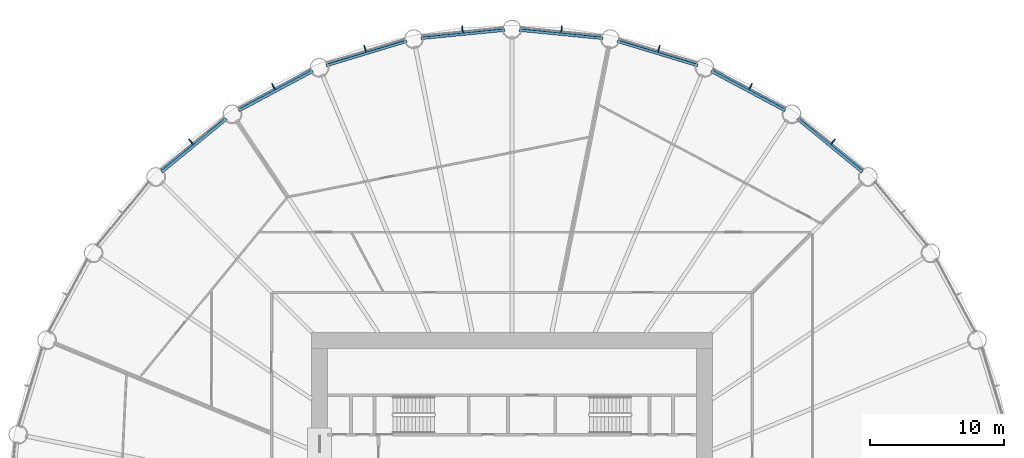
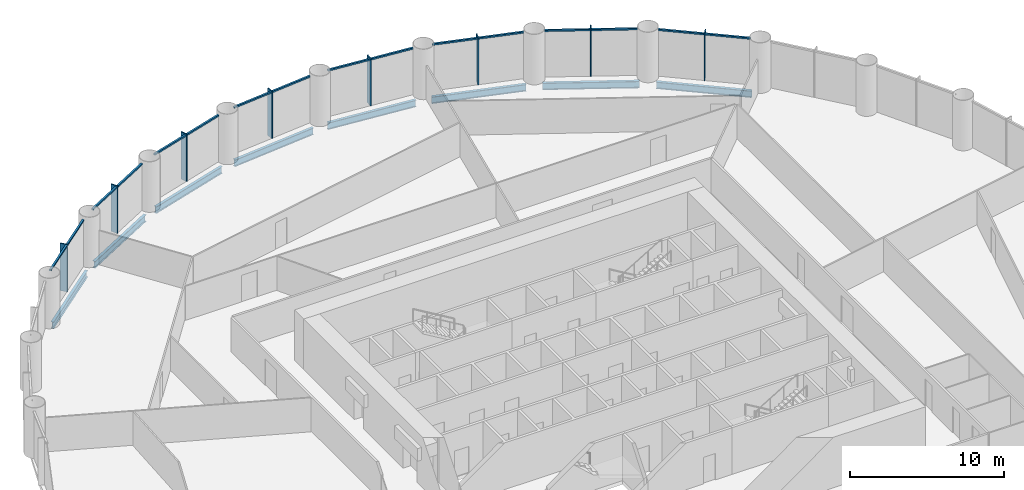
# One storey, part 7 of 15: 24 members, 8 beams, 8 elements without a shape of their own.
"""IFC4 building model written with IfcOpenShell, lengths in metres."""

from ifc_helpers import new_model, si_unit, direction, frame, origin, origin_2d, place, context, subcontext, project, spatial, rectangle, i_section, extrude, material, material_profile, profile_set, type_object, element, aggregate, save


model = new_model("IFC4")

# Units and contexts
model_context = context("Model", 3, precision=1e-05, world=origin(), true_north=direction((0.0, 1.0)))
body_context = subcontext(model_context, "Body", "Model", "MODEL_VIEW")
ifc_project = project(units=[si_unit("LENGTHUNIT", "METRE"), si_unit("AREAUNIT", "SQUARE_METRE"), si_unit("VOLUMEUNIT", "CUBIC_METRE"), si_unit("PLANEANGLEUNIT", "RADIAN"), si_unit("MASSUNIT", "GRAM", prefix="KILO")], contexts=[model_context])

# Site, building, storey
site_placement = place(None, origin())
site = spatial("IfcSite", under=ifc_project, at=site_placement, CompositionType="ELEMENT")
building_placement = place(site_placement, origin())
building = spatial("IfcBuilding", under=site, at=building_placement, Name="Corvane Civic Tower", CompositionType="ELEMENT")
storey_placement = place(building_placement, frame((0.0, 0.0, 69.0)))
storey = spatial("IfcBuildingStorey", under=building, at=storey_placement, Name="L15", CompositionType="ELEMENT", Elevation=69.0)

# Beams
ifc_material_1 = material(Name="Steel ASTM A992 Gr 50", Category="steel")
ifc_material_profile_1 = material_profile(ifc_material_1, i_section(OverallWidth=0.209228515625, OverallDepth=0.533447265625, WebThickness=0.01025390625, FlangeThickness=0.015625, at=origin_2d()), Name="W21X62")
ifc_profile_set_1 = profile_set([ifc_material_profile_1], Name="Steel ASTM A992 Gr 50")
beam_type = type_object("IfcBeamType", Name="EDGE BEAM W21X62", PredefinedType="BEAM", material=ifc_profile_set_1)
beam_1_placement = place(storey_placement, frame((0.54736328125, 37.64599609375, -0.566650390625), z_axis=(0.995186682089, -0.097997284622, 0.0), x_axis=(0.097997284622, 0.995186682089, 0.0)))
element("IfcBeam", 1, at=beam_1_placement, inside=storey, type_object=beam_type, Name="BM-L15-E01", PredefinedType="BEAM", context=body_context, shape_type="SweptSolid", body=[
    extrude(i_section(OverallWidth=0.209228515625, OverallDepth=0.533447265625, WebThickness=0.01025390625, FlangeThickness=0.015625, at=origin_2d()), origin(), (0.0, 0.0, 1.0), 6.29052734375),
])
for number, where, z_axis, x_axis, name in (
    (2, (7.88134765625, 36.81591796875, -0.566650390625), (0.956943740748, -0.290273452184, 0.0), (0.290273452184, 0.956943740748, 0.0), "BM-L15-E02"),
    (3, (14.912353515625, 34.571044921875, -0.566650390625), (0.881916367906, -0.471405897311, 0.0), (0.471405897311, 0.881916367906, 0.0), "BM-L15-E03"),
):
    element("IfcBeam", number, at=place(storey_placement, frame(where, z_axis=z_axis, x_axis=x_axis)), inside=storey, type_object=beam_type, Name=name, PredefinedType="BEAM", context=body_context, shape_type="SweptSolid", body=[
        extrude(i_section(OverallWidth=0.209228515625, OverallDepth=0.533447265625, WebThickness=0.01025390625, FlangeThickness=0.015625, at=origin_2d()), origin(), (0.0, 0.0, 1.0), 6.290283203125),
    ])
for number, where, z_axis, x_axis, name in (
    (4, (21.3701171875, 30.99755859375, -0.566650390625), (0.773015785286, -0.634386787141, 0.0), (0.634386787141, 0.773015785286, 0.0), "BM-L15-E04"),
    (5, (-26.23291015625, 27.0068359375, -0.566650390625), (0.773015785286, 0.634386787141, 0.0), (-0.634386787141, 0.773015785286, 0.0), "BM-L15-E29"),
):
    element("IfcBeam", number, at=place(storey_placement, frame(where, z_axis=z_axis, x_axis=x_axis)), inside=storey, type_object=beam_type, Name=name, PredefinedType="BEAM", context=body_context, shape_type="SweptSolid", body=[
        extrude(i_section(OverallWidth=0.209228515625, OverallDepth=0.533447265625, WebThickness=0.01025390625, FlangeThickness=0.015625, at=origin_2d()), origin(), (0.0, 0.0, 1.0), 6.290771484375),
    ])
for number, where, z_axis, x_axis, name in (
    (6, (-20.4599609375, 31.605712890625, -0.566650390625), (0.881916367906, 0.471405897311, 0.0), (-0.471405897311, 0.881916367906, 0.0), "BM-L15-E30"),
    (7, (-13.90087890625, 34.989990234375, -0.566650390625), (0.956943740748, 0.290273452184, 0.0), (-0.290273452184, 0.956943740748, 0.0), "BM-L15-E31"),
):
    element("IfcBeam", number, at=place(storey_placement, frame(where, z_axis=z_axis, x_axis=x_axis)), inside=storey, type_object=beam_type, Name=name, PredefinedType="BEAM", context=body_context, shape_type="SweptSolid", body=[
        extrude(i_section(OverallWidth=0.209228515625, OverallDepth=0.533447265625, WebThickness=0.01025390625, FlangeThickness=0.015625, at=origin_2d()), origin(), (0.0, 0.0, 1.0), 6.290283203125),
    ])
beam_2_placement = place(storey_placement, frame((-6.8076171875, 37.029541015625, -0.566650390625), z_axis=(0.995186682089, 0.097997284622, 0.0), x_axis=(-0.097997284622, 0.995186682089, 0.0)))
element("IfcBeam", 8, at=beam_2_placement, inside=storey, type_object=beam_type, Name="BM-L15-E32", PredefinedType="BEAM", context=body_context, shape_type="SweptSolid", body=[
    extrude(i_section(OverallWidth=0.209228515625, OverallDepth=0.533447265625, WebThickness=0.01025390625, FlangeThickness=0.015625, at=origin_2d()), origin(), (0.0, 0.0, 1.0), 6.29052734375),
])

# Curtain wall, members
ifc_material_2 = material(Name="Anodised aluminium bronze", Category="aluminium")
curtain_wall_type = type_object("IfcCurtainWallType", Name="TOWER CW-T1 STICK CURTAIN WALL", PredefinedType="NOTDEFINED", material=ifc_material_2)
curtain_wall_1_placement = place(storey_placement, origin())
curtain_wall_1 = element("IfcCurtainWall", 9, at=curtain_wall_1_placement, inside=storey, type_object=curtain_wall_type, Name="Curtain wall CW-T1 L15 bay 01", PredefinedType="NOTDEFINED")
ifc_material_3 = material(Name="Anodised aluminium bronze", Category="aluminium")
ifc_material_profile_2 = material_profile(ifc_material_3, rectangle(XDim=0.139892578125, YDim=0.1201171875, at=origin_2d()), Name="TOWER CW-T1 TRANSOM 140x120")
ifc_profile_set_2 = profile_set([ifc_material_profile_2], Name="Anodised aluminium bronze")
member_type_1 = type_object("IfcMemberType", Name="TOWER CW-T1 TRANSOM 140x120", PredefinedType="USERDEFINED", material=ifc_profile_set_2)
member_1_placement = place(storey_placement, frame((0.6611328125, 37.814697265625, 3.68994140625), z_axis=(0.995191836722, -0.097944923917, 0.0), x_axis=(0.097944923917, 0.995191836722, 0.0)))
member_1 = element("IfcMember", 10, at=member_1_placement, type_object=member_type_1, Name="Transom CW-T1 L15 01.1", ObjectType="TRANSOM", PredefinedType="USERDEFINED", context=body_context, shape_type="SweptSolid", body=[
    extrude(rectangle(XDim=0.139892578125, YDim=0.1201171875, at=origin_2d()), origin(), (0.0, 0.0, 1.0), 3.008544921875),
])
member_2_placement = place(storey_placement, frame((3.73486328125, 37.511962890625, 3.68994140625), z_axis=(0.995191836722, -0.097944923917, 0.0), x_axis=(0.097944923917, 0.995191836722, 0.0)))
member_2 = element("IfcMember", 11, at=member_2_placement, type_object=member_type_1, Name="Transom CW-T1 L15 01.2", ObjectType="TRANSOM", PredefinedType="USERDEFINED", context=body_context, shape_type="SweptSolid", body=[
    extrude(rectangle(XDim=0.139892578125, YDim=0.1201171875, at=origin_2d()), origin(), (0.0, 0.0, 1.0), 3.008544921875),
])

curtain_wall_2_placement = place(storey_placement, origin())
curtain_wall_2 = element("IfcCurtainWall", 12, at=curtain_wall_2_placement, inside=storey, type_object=curtain_wall_type, Name="Curtain wall CW-T1 L15 bay 02", PredefinedType="NOTDEFINED")
member_3_placement = place(storey_placement, frame((8.02587890625, 36.959228515625, 3.68994140625), z_axis=(0.956941780555, -0.290279914268, 0.0), x_axis=(0.290279914268, 0.956941780555, 0.0)))
member_3 = element("IfcMember", 13, at=member_3_placement, type_object=member_type_1, Name="Transom CW-T1 L15 02.1", ObjectType="TRANSOM", PredefinedType="USERDEFINED", context=body_context, shape_type="SweptSolid", body=[
    extrude(rectangle(XDim=0.139892578125, YDim=0.1201171875, at=origin_2d()), origin(), (0.0, 0.0, 1.0), 3.008544921875),
])
member_4_placement = place(storey_placement, frame((10.9814453125, 36.062744140625, 3.68994140625), z_axis=(0.956941780555, -0.290279914268, 0.0), x_axis=(0.290279914268, 0.956941780555, 0.0)))
member_4 = element("IfcMember", 14, at=member_4_placement, type_object=member_type_1, Name="Transom CW-T1 L15 02.2", ObjectType="TRANSOM", PredefinedType="USERDEFINED", context=body_context, shape_type="SweptSolid", body=[
    extrude(rectangle(XDim=0.139892578125, YDim=0.1201171875, at=origin_2d()), origin(), (0.0, 0.0, 1.0), 3.008544921875),
])

curtain_wall_3_placement = place(storey_placement, origin())
curtain_wall_3 = element("IfcCurtainWall", 15, at=curtain_wall_3_placement, inside=storey, type_object=curtain_wall_type, Name="Curtain wall CW-T1 L15 bay 03", PredefinedType="NOTDEFINED")
member_5_placement = place(storey_placement, frame((15.08203125, 34.683349609375, 3.68994140625), z_axis=(0.881923525532, -0.471392506424, 0.0), x_axis=(0.471392506424, 0.881923525532, 0.0)))
member_5 = element("IfcMember", 16, at=member_5_placement, type_object=member_type_1, Name="Transom CW-T1 L15 03.1", ObjectType="TRANSOM", PredefinedType="USERDEFINED", context=body_context, shape_type="SweptSolid", body=[
    extrude(rectangle(XDim=0.139892578125, YDim=0.1201171875, at=origin_2d()), origin(), (0.0, 0.0, 1.0), 3.008544921875),
])
member_6_placement = place(storey_placement, frame((17.805908203125, 33.2275390625, 3.68994140625), z_axis=(0.881923525532, -0.471392506424, 0.0), x_axis=(0.471392506424, 0.881923525532, 0.0)))
member_6 = element("IfcMember", 17, at=member_6_placement, type_object=member_type_1, Name="Transom CW-T1 L15 03.2", ObjectType="TRANSOM", PredefinedType="USERDEFINED", context=body_context, shape_type="SweptSolid", body=[
    extrude(rectangle(XDim=0.139892578125, YDim=0.1201171875, at=origin_2d()), origin(), (0.0, 0.0, 1.0), 3.008544921875),
])

curtain_wall_4_placement = place(storey_placement, origin())
curtain_wall_4 = element("IfcCurtainWall", 18, at=curtain_wall_4_placement, inside=storey, type_object=curtain_wall_type, Name="Curtain wall CW-T1 L15 bay 04", PredefinedType="NOTDEFINED")
member_7_placement = place(storey_placement, frame((21.55859375, 31.074462890625, 3.68994140625), z_axis=(0.773041738279, -0.634355161466, 0.0), x_axis=(0.634355161466, 0.773041738279, 0.0)))
member_7 = element("IfcMember", 19, at=member_7_placement, type_object=member_type_1, Name="Transom CW-T1 L15 04.1", ObjectType="TRANSOM", PredefinedType="USERDEFINED", context=body_context, shape_type="SweptSolid", body=[
    extrude(rectangle(XDim=0.139892578125, YDim=0.1201171875, at=origin_2d()), origin(), (0.0, 0.0, 1.0), 3.008544921875),
])
member_8_placement = place(storey_placement, frame((23.946044921875, 29.115234375, 3.68994140625), z_axis=(0.773001943873, -0.634403652865, 0.0), x_axis=(0.634403652865, 0.773001943873, 0.0)))
member_8 = element("IfcMember", 20, at=member_8_placement, type_object=member_type_1, Name="Transom CW-T1 L15 04.2", ObjectType="TRANSOM", PredefinedType="USERDEFINED", context=body_context, shape_type="SweptSolid", body=[
    extrude(rectangle(XDim=0.139892578125, YDim=0.1201171875, at=origin_2d()), origin(), (0.0, 0.0, 1.0), 3.008544921875),
])

curtain_wall_5_placement = place(storey_placement, origin())
curtain_wall_5 = element("IfcCurtainWall", 21, at=curtain_wall_5_placement, inside=storey, type_object=curtain_wall_type, Name="Curtain wall CW-T1 L15 bay 29", PredefinedType="NOTDEFINED")
member_9_placement = place(storey_placement, frame((-26.271728515625, 27.20654296875, 3.68994140625), z_axis=(0.773001943873, 0.634403652865, 0.0), x_axis=(-0.634403652865, 0.773001943873, 0.0)))
member_9 = element("IfcMember", 22, at=member_9_placement, type_object=member_type_1, Name="Transom CW-T1 L15 29.1", ObjectType="TRANSOM", PredefinedType="USERDEFINED", context=body_context, shape_type="SweptSolid", body=[
    extrude(rectangle(XDim=0.139892578125, YDim=0.1201171875, at=origin_2d()), origin(), (0.0, 0.0, 1.0), 3.008544921875),
])
member_10_placement = place(storey_placement, frame((-23.88427734375, 29.166015625, 3.68994140625), z_axis=(0.773041738279, 0.634355161466, 0.0), x_axis=(-0.634355161466, 0.773041738279, 0.0)))
member_10 = element("IfcMember", 23, at=member_10_placement, type_object=member_type_1, Name="Transom CW-T1 L15 29.2", ObjectType="TRANSOM", PredefinedType="USERDEFINED", context=body_context, shape_type="SweptSolid", body=[
    extrude(rectangle(XDim=0.139892578125, YDim=0.1201171875, at=origin_2d()), origin(), (0.0, 0.0, 1.0), 3.008544921875),
])

curtain_wall_6_placement = place(storey_placement, origin())
curtain_wall_6 = element("IfcCurtainWall", 24, at=curtain_wall_6_placement, inside=storey, type_object=curtain_wall_type, Name="Curtain wall CW-T1 L15 bay 30", PredefinedType="NOTDEFINED")
member_11_placement = place(storey_placement, frame((-20.459228515625, 31.809326171875, 3.68994140625), z_axis=(0.881923525532, 0.471392506424, 0.0), x_axis=(-0.471392506424, 0.881923525532, 0.0)))
member_11 = element("IfcMember", 25, at=member_11_placement, type_object=member_type_1, Name="Transom CW-T1 L15 30.1", ObjectType="TRANSOM", PredefinedType="USERDEFINED", context=body_context, shape_type="SweptSolid", body=[
    extrude(rectangle(XDim=0.139892578125, YDim=0.1201171875, at=origin_2d()), origin(), (0.0, 0.0, 1.0), 3.008544921875),
])
member_12_placement = place(storey_placement, frame((-17.7353515625, 33.26513671875, 3.68994140625), z_axis=(0.881923525532, 0.471392506424, 0.0), x_axis=(-0.471392506424, 0.881923525532, 0.0)))
member_12 = element("IfcMember", 26, at=member_12_placement, type_object=member_type_1, Name="Transom CW-T1 L15 30.2", ObjectType="TRANSOM", PredefinedType="USERDEFINED", context=body_context, shape_type="SweptSolid", body=[
    extrude(rectangle(XDim=0.139892578125, YDim=0.1201171875, at=origin_2d()), origin(), (0.0, 0.0, 1.0), 3.008544921875),
])

curtain_wall_7_placement = place(storey_placement, origin())
curtain_wall_7 = element("IfcCurtainWall", 27, at=curtain_wall_7_placement, inside=storey, type_object=curtain_wall_type, Name="Curtain wall CW-T1 L15 bay 31", PredefinedType="NOTDEFINED")
member_13_placement = place(storey_placement, frame((-13.8603515625, 35.189453125, 3.68994140625), z_axis=(0.956941780555, 0.290279914268, 0.0), x_axis=(-0.290279914268, 0.956941780555, 0.0)))
member_13 = element("IfcMember", 28, at=member_13_placement, type_object=member_type_1, Name="Transom CW-T1 L15 31.1", ObjectType="TRANSOM", PredefinedType="USERDEFINED", context=body_context, shape_type="SweptSolid", body=[
    extrude(rectangle(XDim=0.139892578125, YDim=0.1201171875, at=origin_2d()), origin(), (0.0, 0.0, 1.0), 3.008544921875),
])
member_14_placement = place(storey_placement, frame((-10.90478515625, 36.0859375, 3.68994140625), z_axis=(0.956941780555, 0.290279914268, 0.0), x_axis=(-0.290279914268, 0.956941780555, 0.0)))
member_14 = element("IfcMember", 29, at=member_14_placement, type_object=member_type_1, Name="Transom CW-T1 L15 31.2", ObjectType="TRANSOM", PredefinedType="USERDEFINED", context=body_context, shape_type="SweptSolid", body=[
    extrude(rectangle(XDim=0.139892578125, YDim=0.1201171875, at=origin_2d()), origin(), (0.0, 0.0, 1.0), 3.008544921875),
])

curtain_wall_8_placement = place(storey_placement, origin())
curtain_wall_8 = element("IfcCurtainWall", 30, at=curtain_wall_8_placement, inside=storey, type_object=curtain_wall_type, Name="Curtain wall CW-T1 L15 bay 32", PredefinedType="NOTDEFINED")
member_15_placement = place(storey_placement, frame((-6.72900390625, 37.21728515625, 3.68994140625), z_axis=(0.995191836722, 0.097944923917, 0.0), x_axis=(-0.097944923917, 0.995191836722, 0.0)))
member_15 = element("IfcMember", 31, at=member_15_placement, type_object=member_type_1, Name="Transom CW-T1 L15 32.1", ObjectType="TRANSOM", PredefinedType="USERDEFINED", context=body_context, shape_type="SweptSolid", body=[
    extrude(rectangle(XDim=0.139892578125, YDim=0.1201171875, at=origin_2d()), origin(), (0.0, 0.0, 1.0), 3.008544921875),
])
member_16_placement = place(storey_placement, frame((-3.6552734375, 37.52001953125, 3.68994140625), z_axis=(0.995191836722, 0.097944923917, 0.0), x_axis=(-0.097944923917, 0.995191836722, 0.0)))
member_16 = element("IfcMember", 32, at=member_16_placement, type_object=member_type_1, Name="Transom CW-T1 L15 32.2", ObjectType="TRANSOM", PredefinedType="USERDEFINED", context=body_context, shape_type="SweptSolid", body=[
    extrude(rectangle(XDim=0.139892578125, YDim=0.1201171875, at=origin_2d()), origin(), (0.0, 0.0, 1.0), 3.008544921875),
])

# Member
ifc_material_4 = material(Name="Anodised aluminium bronze", Category="aluminium")
ifc_material_profile_3 = material_profile(ifc_material_4, rectangle(XDim=0.080078125, YDim=0.5, at=origin_2d()), Name="TOWER FIN MULLION 80x500 BRONZE")
ifc_profile_set_3 = profile_set([ifc_material_profile_3], Name="Anodised aluminium bronze")
member_type_2 = type_object("IfcMemberType", Name="TOWER FIN MULLION 80x500 BRONZE", PredefinedType="MULLION", material=ifc_profile_set_3)
member_17_placement = place(storey_placement, frame((3.714599609375, 37.715087890625, 0.0), z_axis=(0.0, 0.0, 1.0), x_axis=(0.995185800248, -0.098006239521, 0.0)))
member_17 = element("IfcMember", 33, at=member_17_placement, type_object=member_type_2, Name="Fin mullion 01 L15", PredefinedType="MULLION", context=body_context, shape_type="SweptSolid", body=[
    extrude(rectangle(XDim=0.080078125, YDim=0.5, at=origin_2d()), origin(), (0.0, 0.0, 1.0), 3.75),
])

aggregate(curtain_wall_1, [member_17, member_1, member_2])

member_18_placement = place(storey_placement, frame((11.001220703125, 36.265625, 0.0), z_axis=(0.0, 0.0, 1.0), x_axis=(0.956942240606, -0.290278397654, 0.0)))
member_18 = element("IfcMember", 34, at=member_18_placement, type_object=member_type_2, Name="Fin mullion 02 L15", PredefinedType="MULLION", context=body_context, shape_type="SweptSolid", body=[
    extrude(rectangle(XDim=0.080078125, YDim=0.5, at=origin_2d()), origin(), (0.0, 0.0, 1.0), 3.75),
])

aggregate(curtain_wall_2, [member_18, member_3, member_4])

member_19_placement = place(storey_placement, frame((17.86474609375, 33.422607421875, 0.0), z_axis=(0.0, 0.0, 1.0), x_axis=(0.881917528864, -0.471403725359, 0.0)))
member_19 = element("IfcMember", 35, at=member_19_placement, type_object=member_type_2, Name="Fin mullion 03 L15", PredefinedType="MULLION", context=body_context, shape_type="SweptSolid", body=[
    extrude(rectangle(XDim=0.080078125, YDim=0.5, at=origin_2d()), origin(), (0.0, 0.0, 1.0), 3.75),
])

aggregate(curtain_wall_3, [member_19, member_5, member_6])

member_20_placement = place(storey_placement, frame((24.0419921875, 29.295166015625, 0.0), z_axis=(0.0, 0.0, 1.0), x_axis=(0.773007224463, -0.634397218569, 0.0)))
member_20 = element("IfcMember", 36, at=member_20_placement, type_object=member_type_2, Name="Fin mullion 04 L15", PredefinedType="MULLION", context=body_context, shape_type="SweptSolid", body=[
    extrude(rectangle(XDim=0.080078125, YDim=0.5, at=origin_2d()), origin(), (0.0, 0.0, 1.0), 3.75),
])

aggregate(curtain_wall_4, [member_20, member_7, member_8])

member_21_placement = place(storey_placement, frame((-24.0419921875, 29.295166015625, 0.0), z_axis=(0.0, 0.0, 1.0), x_axis=(0.773007224463, 0.634397218569, 0.0)))
member_21 = element("IfcMember", 37, at=member_21_placement, type_object=member_type_2, Name="Fin mullion 29 L15", PredefinedType="MULLION", context=body_context, shape_type="SweptSolid", body=[
    extrude(rectangle(XDim=0.080078125, YDim=0.5, at=origin_2d()), origin(), (0.0, 0.0, 1.0), 3.75),
])

aggregate(curtain_wall_5, [member_21, member_9, member_10])

member_22_placement = place(storey_placement, frame((-17.86474609375, 33.422607421875, 0.0), z_axis=(0.0, 0.0, 1.0), x_axis=(0.881917528864, 0.471403725359, 0.0)))
member_22 = element("IfcMember", 38, at=member_22_placement, type_object=member_type_2, Name="Fin mullion 30 L15", PredefinedType="MULLION", context=body_context, shape_type="SweptSolid", body=[
    extrude(rectangle(XDim=0.080078125, YDim=0.5, at=origin_2d()), origin(), (0.0, 0.0, 1.0), 3.75),
])

aggregate(curtain_wall_6, [member_22, member_11, member_12])

member_23_placement = place(storey_placement, frame((-11.001220703125, 36.265625, 0.0), z_axis=(0.0, 0.0, 1.0), x_axis=(0.956942240606, 0.290278397654, 0.0)))
member_23 = element("IfcMember", 39, at=member_23_placement, type_object=member_type_2, Name="Fin mullion 31 L15", PredefinedType="MULLION", context=body_context, shape_type="SweptSolid", body=[
    extrude(rectangle(XDim=0.080078125, YDim=0.5, at=origin_2d()), origin(), (0.0, 0.0, 1.0), 3.75),
])

aggregate(curtain_wall_7, [member_23, member_13, member_14])

member_24_placement = place(storey_placement, frame((-3.714599609375, 37.715087890625, 0.0), z_axis=(0.0, 0.0, 1.0), x_axis=(0.995185800248, 0.098006239521, 0.0)))
member_24 = element("IfcMember", 40, at=member_24_placement, type_object=member_type_2, Name="Fin mullion 32 L15", PredefinedType="MULLION", context=body_context, shape_type="SweptSolid", body=[
    extrude(rectangle(XDim=0.080078125, YDim=0.5, at=origin_2d()), origin(), (0.0, 0.0, 1.0), 3.75),
])

aggregate(curtain_wall_8, [member_24, member_15, member_16])

save(model, "model.ifc")
